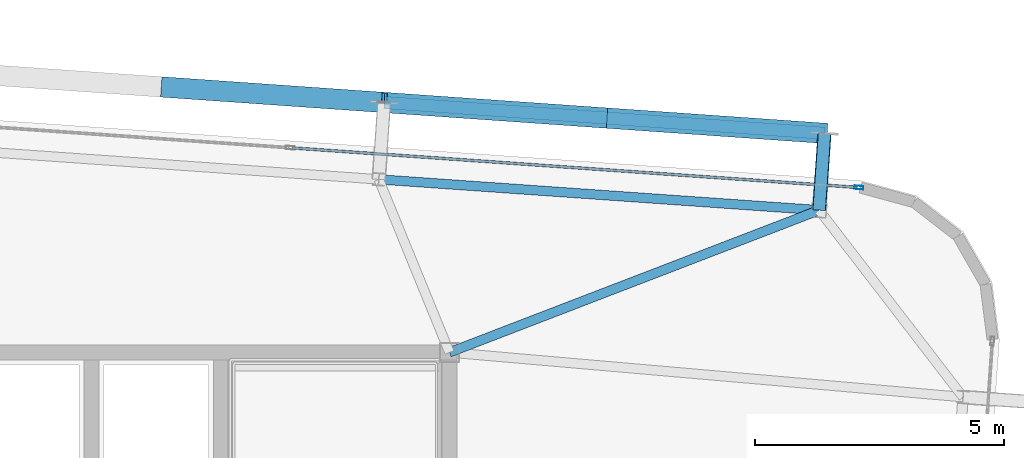
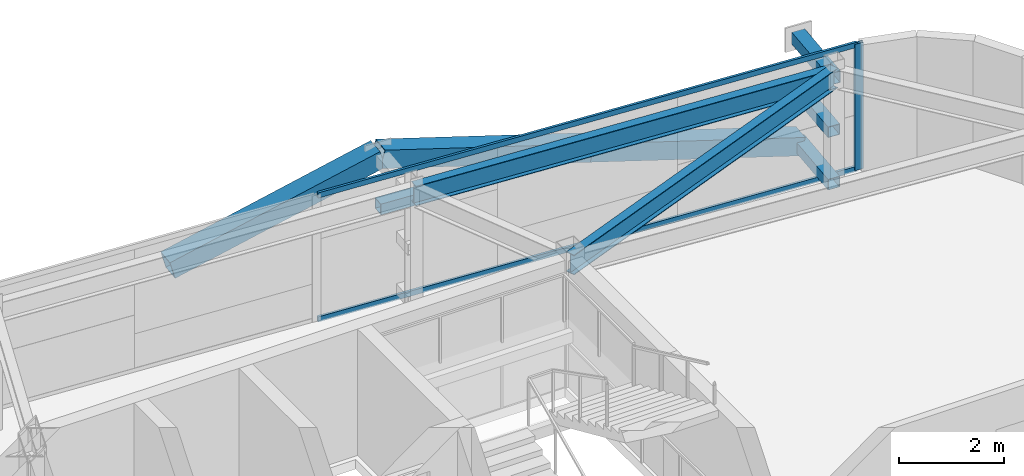
# One storey, part 24 of 39: 10 members, 2 beams, 1 element without a shape of its own.
"""IFC4 building model written with IfcOpenShell, lengths in metres."""

from ifc_helpers import new_model, si_unit, direction, frame, origin, origin_2d, place, context, subcontext, project, spatial, hollow_rectangle, i_section, extrude, source, transform, mapped, material, layer, layer_set, material_profile, profile_set, type_object, element, aggregate, save


model = new_model("IFC4")

# Units and contexts
model_context = context("Model", 3, precision=1e-05, world=origin(), true_north=direction((0.0, 1.0)))
body_context = subcontext(model_context, "Body", "Model", "MODEL_VIEW")
ifc_project = project(units=[si_unit("LENGTHUNIT", "METRE"), si_unit("AREAUNIT", "SQUARE_METRE"), si_unit("VOLUMEUNIT", "CUBIC_METRE"), si_unit("PLANEANGLEUNIT", "RADIAN"), si_unit("MASSUNIT", "GRAM", prefix="KILO")], contexts=[model_context])

# Site, building, storey
site_placement = place(None, origin())
site = spatial("IfcSite", under=ifc_project, at=site_placement, CompositionType="ELEMENT")
building_placement = place(site_placement, origin())
building = spatial("IfcBuilding", under=site, at=building_placement, Name="Taldren Reach Tower", CompositionType="ELEMENT")
storey_placement = place(building_placement, frame((0.0, 0.0, 123.550048828125)))
storey = spatial("IfcBuildingStorey", under=building, at=storey_placement, Name="L37", CompositionType="ELEMENT", Elevation=123.550048828125)

# Members
ifc_material_1 = material(Name="Steel Gr 450 (C450L0)", Category="steel")
ifc_material_profile_1 = material_profile(ifc_material_1, hollow_rectangle(XDim=0.27490234375, YDim=0.27490234375, WallThickness=0.00927734375, at=origin_2d()), Name="275x275x9.3SHS")
ifc_profile_set_1 = profile_set([ifc_material_profile_1], Name="Steel Gr 450 (C450L0)")
member_type_1 = type_object("IfcMemberType", Name="MB-TIE273", PredefinedType="STRUT", material=ifc_profile_set_1)
shared_shape_1 = source(origin(), body_context, "Body", "SweptSolid", [
    extrude(hollow_rectangle(XDim=0.27490234375, YDim=0.27490234375, WallThickness=0.00927734375, at=origin_2d()), origin(), (0.0, 0.0, 1.0), 1.5498046875),
])
member_1_placement = place(storey_placement, frame((58.4365234375, 34.861572265625, 2.64990234375), z_axis=(0.069780535098, 0.997562367434, 0.0), x_axis=(-0.997562367434, 0.069780535098, 0.0)))
element("IfcMember", 1, at=member_1_placement, inside=storey, type_object=member_type_1, Name="Exoskeleton diaphragm tie strut B3-N6 L37", PredefinedType="STRUT", context=body_context, shape_type="MappedRepresentation", body=[
    mapped(shared_shape_1, transform((0.0, 0.0, 0.0), scale=1.0)),
])
ifc_material_2 = material(Name="Steel Gr 350 (C350L0)", Category="steel")
ifc_material_profile_2 = material_profile(ifc_material_2, hollow_rectangle(XDim=0.25, YDim=0.25, WallThickness=0.010009765625, at=origin_2d()), Name="250x250x10.0SHS")
ifc_profile_set_2 = profile_set([ifc_material_profile_2], Name="Steel Gr 350 (C350L0)")
member_type_2 = type_object("IfcMemberType", Name="MB-POST250", PredefinedType="POST", material=ifc_profile_set_2)
shared_shape_2 = source(origin(), body_context, "Body", "SweptSolid", [
    extrude(hollow_rectangle(XDim=0.25, YDim=0.25, WallThickness=0.010009765625, at=origin_2d()), origin(), (0.0, 0.0, 1.0), 1.5498046875),
])
for number, where, z_axis, x_axis, name in (
    (2, (58.4365234375, 34.861572265625, 0.219970703125), (0.069780535098, 0.997562367434, 0.0), (-0.997562367434, 0.069780535098, 0.0), "Exoskeleton base diaphragm tie strut B3-N6 L37"),
    (3, (58.4365234375, 34.861572265625, 1.43505859375), (0.069780535098, 0.997562367434, 0.0), (-0.997562367434, 0.069780535098, 0.0), "Exoskeleton mid-tier diaphragm tie B3-N6 L37"),
):
    element("IfcMember", number, at=place(storey_placement, frame(where, z_axis=z_axis, x_axis=x_axis)), inside=storey, type_object=member_type_2, Name=name, PredefinedType="POST", context=body_context, shape_type="MappedRepresentation", body=[
        mapped(shared_shape_2, transform((0.0, 0.0, 0.0), scale=1.0)),
    ])

# Beams
ifc_material_3 = material(Name="Steel Gr 350 (350PLUS)", Category="steel")
ifc_material_profile_3 = material_profile(ifc_material_3, i_section(OverallWidth=0.18994140625, OverallDepth=0.4541015625, WebThickness=0.008544921875, FlangeThickness=0.0126953125, at=origin_2d()), Name="460UB67.1")
ifc_profile_set_3 = profile_set([ifc_material_profile_3], Name="Steel Gr 350 (350PLUS)")
beam_type_1 = type_object("IfcBeamType", Name="SP-UB460B", PredefinedType="SPANDREL", material=ifc_profile_set_3)
shared_shape_3 = source(origin(), body_context, "Body", "SweptSolid", [
    extrude(i_section(OverallWidth=0.18994140625, OverallDepth=0.4541015625, WebThickness=0.008544921875, FlangeThickness=0.0126953125, at=origin_2d()), origin(), (0.0, 0.0, 1.0), 8.880126953125),
])
beam_1_placement = place(storey_placement, frame((58.4365234375, 34.861572265625, 2.702880859375), z_axis=(-0.997564479639, 0.069750333063, 0.0), x_axis=(-0.069750333063, -0.997564479639, 0.0)))
element("IfcBeam", 4, at=beam_1_placement, inside=storey, type_object=beam_type_1, Name="Perimeter spandrel B3 N6-N5 L37", PredefinedType="SPANDREL", context=body_context, shape_type="MappedRepresentation", body=[
    mapped(shared_shape_3, transform((0.0, 0.0, 0.0), scale=1.0)),
])
ifc_material_profile_4 = material_profile(ifc_material_3, i_section(OverallWidth=0.19091796875, OverallDepth=0.4599609375, WebThickness=0.010009765625, FlangeThickness=0.01611328125, at=origin_2d()), Name="460UB82.1")
ifc_profile_set_4 = profile_set([ifc_material_profile_4], Name="Steel Gr 350 (350PLUS)")
beam_type_2 = type_object("IfcBeamType", Name="BM-UB460A", PredefinedType="BEAM", material=ifc_profile_set_4)
shared_shape_4 = source(origin(), body_context, "Body", "SweptSolid", [
    extrude(i_section(OverallWidth=0.19091796875, OverallDepth=0.4599609375, WebThickness=0.010009765625, FlangeThickness=0.01611328125, at=origin_2d()), origin(), (0.0, 0.0, 1.0), 7.968017578125),
])
beam_2_placement = place(storey_placement, frame((51.0, 32.0, 2.699951171875), z_axis=(0.933287947144, 0.359128956943, 0.0), x_axis=(-0.359128956943, 0.933287947144, 0.0)))
element("IfcBeam", 5, at=beam_2_placement, inside=storey, type_object=beam_type_2, Name="Primary floor girder B3-N6 L37", PredefinedType="BEAM", context=body_context, shape_type="MappedRepresentation", body=[
    mapped(shared_shape_4, transform((0.0, 0.0, 0.0), scale=1.0)),
])

# Members
shared_shape_5 = source(origin(), body_context, "Body", "SweptSolid", [
    extrude(hollow_rectangle(XDim=0.25, YDim=0.25, WallThickness=0.010009765625, at=origin_2d()), origin(), (0.0, 0.0, 1.0), 8.880126953125),
])
member_2_placement = place(storey_placement, frame((49.686279296875, 37.02734375, 1.43505859375), z_axis=(0.997562566276, -0.06977769246, 0.0), x_axis=(0.06977769246, 0.997562566276, 0.0)))
element("IfcMember", 6, at=member_2_placement, inside=storey, type_object=member_type_2, Name="Exoskeleton mid-height ring chord B3-N5 L37", PredefinedType="POST", context=body_context, shape_type="MappedRepresentation", body=[
    mapped(shared_shape_5, transform((0.0, 0.0, 0.0), scale=1.0)),
])
ifc_material_profile_5 = material_profile(ifc_material_1, hollow_rectangle(XDim=0.409912109375, YDim=0.409912109375, WallThickness=0.01611328125, at=origin_2d()), Name="410x410x16.0SHS")
ifc_profile_set_5 = profile_set([ifc_material_profile_5], Name="Steel Gr 450 (C450L0)")
member_type_3 = type_object("IfcMemberType", Name="MB-EXO406", PredefinedType="BRACE", material=ifc_profile_set_5)
shared_shape_6 = source(origin(), body_context, "Body", "SweptSolid", [
    extrude(hollow_rectangle(XDim=0.409912109375, YDim=0.409912109375, WallThickness=0.01611328125, at=origin_2d()), origin(), (0.0, 0.0, 1.0), 4.603271484375),
])
for number, where, z_axis, x_axis, name in (
    (7, (45.257080078125, 37.3369140625, 1.43505859375), (0.962199253371, -0.067251055742, 0.263912660389), (0.069722973508, 0.997566392259, 0.0), "Exoskeleton Diagrid Brace B3-N4 L37"),
    (8, (58.544677734375, 36.40771484375, 0.219970703125), (-0.962182351074, 0.067302910567, 0.263961060594), (-0.06977769246, -0.997562566276, 0.0), "Exoskeleton Diagrid Brace B3-N5 L37"),
    (9, (54.115478515625, 36.717529296875, 1.43505859375), (-0.962195820062, 0.067303852699, 0.263911718699), (-0.06977769246, -0.997562566276, 0.0), "Exoskeleton Diagrid Brace B3-N5 L37"),
):
    element("IfcMember", number, at=place(storey_placement, frame(where, z_axis=z_axis, x_axis=x_axis)), inside=storey, type_object=member_type_3, Name=name, PredefinedType="BRACE", context=body_context, shape_type="MappedRepresentation", body=[
        mapped(shared_shape_6, transform((0.0, 0.0, 0.0), scale=1.0)),
    ])

# Curtain wall, members
ifc_material_4 = material(Name="Aluminium and Low-E Glass Unitised System", Category="aluminium")
ifc_layer = layer(ifc_material_4, 0.159912109375)
ifc_layer_set = layer_set([ifc_layer], Name="Aluminium and Low-E Glass Unitised System")
curtain_wall_type = type_object("IfcCurtainWallType", Name="CW-SYS-4", PredefinedType="NOTDEFINED", material=ifc_layer_set)
curtain_wall_placement = place(storey_placement, origin())
curtain_wall = element("IfcCurtainWall", 10, at=curtain_wall_placement, inside=storey, type_object=curtain_wall_type, Name="Unitised curtain wall CW-L37-N", PredefinedType="NOTDEFINED")
ifc_material_5 = material(Name="Anodised Aluminium 6063-T6", Category="aluminium")
ifc_material_profile_6 = material_profile(ifc_material_5, hollow_rectangle(XDim=0.054931640625, YDim=0.1201171875, WallThickness=0.0029296875, at=origin_2d()), Name="ALU-120x55x3RHS")
ifc_profile_set_6 = profile_set([ifc_material_profile_6], Name="Anodised Aluminium 6063-T6")
member_type_4 = type_object("IfcMemberType", Name="CW-TRN-135", PredefinedType="USERDEFINED", material=ifc_profile_set_6)
shared_shape_7 = source(origin(), body_context, "Body", "SweptSolid", [
    extrude(hollow_rectangle(XDim=0.054931640625, YDim=0.1201171875, WallThickness=0.0029296875, at=origin_2d()), origin(), (0.0, 0.0, 1.0), 11.39501953125),
])
member_3_placement = place(storey_placement, frame((59.2001953125, 35.3193359375, 0.02734375), z_axis=(-0.997563740682, 0.069760900766, 0.0), x_axis=(-0.069760900766, -0.997563740682, 0.0)))
member_3 = element("IfcMember", 11, at=member_3_placement, type_object=member_type_4, Name="CW-4 transom 1.1", ObjectType="TRANSOM", PredefinedType="USERDEFINED", context=body_context, shape_type="MappedRepresentation", body=[
    mapped(shared_shape_7, transform((0.0, 0.0, 0.0), scale=1.0)),
])
member_4_placement = place(storey_placement, frame((59.2001953125, 35.3193359375, 2.90234375), z_axis=(-0.997563740682, 0.069760900766, 0.0), x_axis=(-0.069760900766, -0.997563740682, 0.0)))
member_4 = element("IfcMember", 12, at=member_4_placement, type_object=member_type_4, Name="CW-4 transom 1.2", ObjectType="TRANSOM", PredefinedType="USERDEFINED", context=body_context, shape_type="MappedRepresentation", body=[
    mapped(shared_shape_7, transform((0.0, 0.0, 0.0), scale=1.0)),
])
ifc_material_profile_7 = material_profile(ifc_material_5, hollow_rectangle(XDim=0.070068359375, YDim=0.179931640625, WallThickness=0.00390625, at=origin_2d()), Name="ALU-180x70x4RHS")
ifc_profile_set_7 = profile_set([ifc_material_profile_7], Name="Anodised Aluminium 6063-T6")
member_type_5 = type_object("IfcMemberType", Name="CW-MUL-180", PredefinedType="MULLION", material=ifc_profile_set_7)
shared_shape_8 = source(origin(), body_context, "Body", "SweptSolid", [
    extrude(hollow_rectangle(XDim=0.070068359375, YDim=0.179931640625, WallThickness=0.00390625, at=origin_2d()), origin(), (0.0, 0.0, 1.0), 2.929931640625),
])
member_5_placement = place(storey_placement, frame((59.235107421875, 35.31689453125, 0.0), z_axis=(0.0, 0.0, 1.0), x_axis=(-0.06975651593, -0.99756404731, 0.0)))
member_5 = element("IfcMember", 13, at=member_5_placement, type_object=member_type_5, Name="CW-4 mullion 1", PredefinedType="MULLION", context=body_context, shape_type="MappedRepresentation", body=[
    mapped(shared_shape_8, transform((0.0, 0.0, 0.0), scale=1.0)),
])
aggregate(curtain_wall, [member_5, member_3, member_4])

save(model, "model.ifc")
